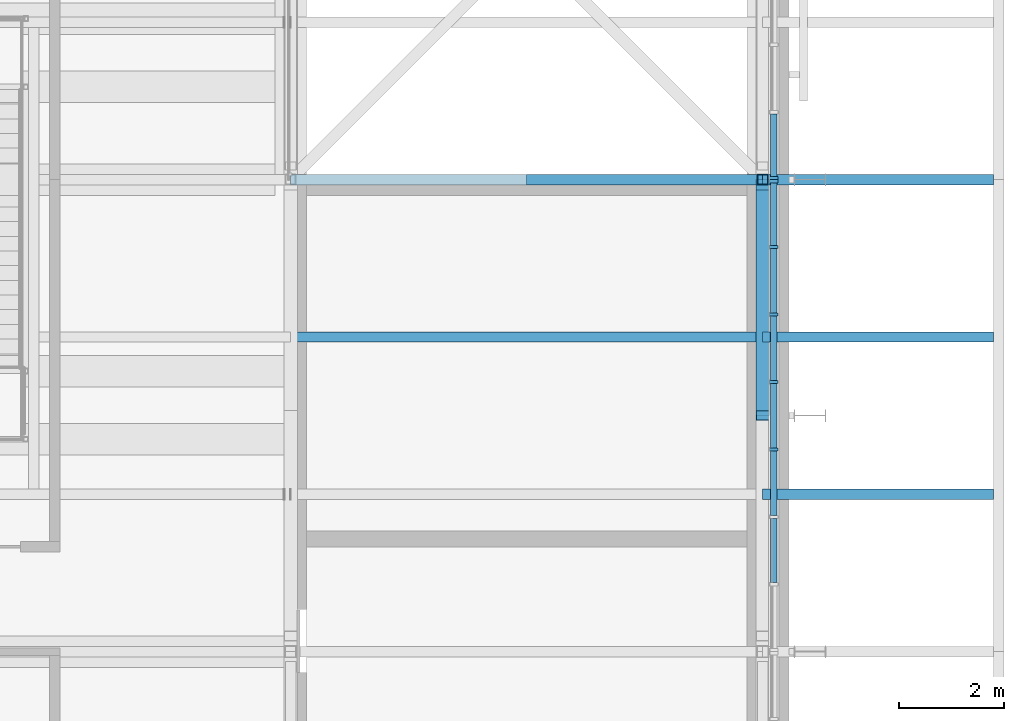
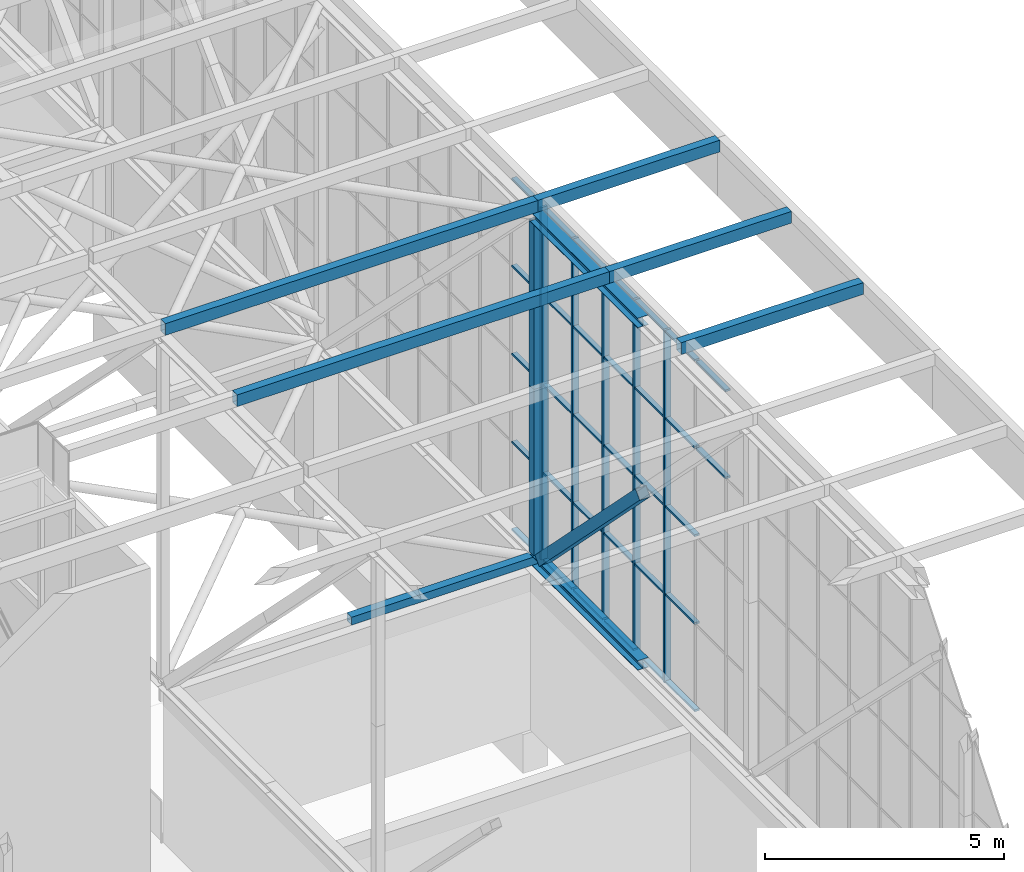
# One storey, part 96 of 646: 49 members, 2 elements without a shape of their own.
"""IFC4 building model written with IfcOpenShell, lengths in metres."""

from ifc_helpers import new_model, si_unit, direction, frame, origin, origin_2d, place, context, subcontext, project, spatial, rectangle, hollow_rectangle, i_section, extrude, material, material_profile, profile_set, type_object, element, aggregate, save


model = new_model("IFC4")

# Units and contexts
model_context = context("Model", 3, precision=1e-05, world=origin(), true_north=direction((0.0, 1.0)))
body_context = subcontext(model_context, "Body", "Model", "MODEL_VIEW")
ifc_project = project(units=[si_unit("LENGTHUNIT", "METRE"), si_unit("AREAUNIT", "SQUARE_METRE"), si_unit("VOLUMEUNIT", "CUBIC_METRE"), si_unit("PLANEANGLEUNIT", "RADIAN"), si_unit("MASSUNIT", "GRAM", prefix="KILO")], contexts=[model_context])

# Site, building, storey
site_placement = place(None, origin())
site = spatial("IfcSite", under=ifc_project, at=site_placement, CompositionType="ELEMENT")
building_placement = place(site_placement, origin())
building = spatial("IfcBuilding", under=site, at=building_placement, Name="Silverbay Arena", CompositionType="ELEMENT")
storey_placement = place(building_placement, frame((0.0, 0.0, 33.5)))
storey = spatial("IfcBuildingStorey", under=building, at=storey_placement, Name="L05", CompositionType="ELEMENT", Elevation=33.5)

# Member
ifc_material_1 = material(Name="Steel S355", Category="steel")
ifc_material_profile_1 = material_profile(ifc_material_1, hollow_rectangle(XDim=0.199951171875, YDim=0.199951171875, WallThickness=0.008056640625, at=origin_2d()), Name="SHS 200x200x8")
ifc_profile_set_1 = profile_set([ifc_material_profile_1], Name="Steel S355")
member_type_1 = type_object("IfcMemberType", Name="Bracing strut SHS 200x200x8", PredefinedType="STRUT", material=ifc_profile_set_1)
member_1_placement = place(storey_placement, frame((202.5, 72.0, 4.126953125), z_axis=(1.0, 0.0, 0.0), x_axis=(0.0, 1.0, 0.0)))
element("IfcMember", 1, at=member_1_placement, inside=storey, type_object=member_type_1, Name="ROOF BRACING strut 23-24 line 08b", PredefinedType="STRUT", context=body_context, shape_type="SweptSolid", body=[
    extrude(hollow_rectangle(XDim=0.199951171875, YDim=0.199951171875, WallThickness=0.008056640625, at=origin_2d()), origin(), (0.0, 0.0, 1.0), 4.5),
])

# Curtain wall, members
ifc_material_2 = material(Name="Aluminium framed glazing", Category="aluminium")
curtain_wall_type = type_object("IfcCurtainWallType", Name="Curtain wall clerestory 9000 x 9000", PredefinedType="NOTDEFINED", material=ifc_material_2)
curtain_wall_1_placement = place(storey_placement, origin())
curtain_wall_1 = element("IfcCurtainWall", 2, at=curtain_wall_1_placement, inside=storey, type_object=curtain_wall_type, Name="ROOF GABLE CLERESTORY CURTAIN WALL east bay 07", PredefinedType="NOTDEFINED")
ifc_material_3 = material(Name="Aluminium", Category="aluminium")
ifc_material_profile_2 = material_profile(ifc_material_3, rectangle(XDim=0.159912109375, YDim=0.06005859375, at=origin_2d()), Name="Mullion 60 x 160")
ifc_profile_set_2 = profile_set([ifc_material_profile_2], Name="Aluminium")
member_type_2 = type_object("IfcMemberType", Name="Mullion 60 x 160", PredefinedType="MULLION", material=ifc_profile_set_2)
member_2_placement = place(storey_placement, frame((207.2099609375, 66.857177734375, 4.0), z_axis=(0.0, 0.0, 1.0), x_axis=(-1.0, 0.0, 0.0)))
member_2 = element("IfcMember", 3, at=member_2_placement, type_object=member_type_2, Name="CW60 mullion 4", PredefinedType="MULLION", context=body_context, shape_type="SweptSolid", body=[
    extrude(rectangle(XDim=0.159912109375, YDim=0.06005859375, at=origin_2d()), origin(), (0.0, 0.0, 1.0), 9.0),
])
member_3_placement = place(storey_placement, frame((207.2099609375, 68.142822265625, 4.0), z_axis=(0.0, 0.0, 1.0), x_axis=(-1.0, 0.0, 0.0)))
member_3 = element("IfcMember", 4, at=member_3_placement, type_object=member_type_2, Name="CW60 mullion 5", PredefinedType="MULLION", context=body_context, shape_type="SweptSolid", body=[
    extrude(rectangle(XDim=0.159912109375, YDim=0.06005859375, at=origin_2d()), origin(), (0.0, 0.0, 1.0), 9.0),
])
member_4_placement = place(storey_placement, frame((207.2099609375, 69.428466796875, 4.0), z_axis=(0.0, 0.0, 1.0), x_axis=(-1.0, 0.0, 0.0)))
member_4 = element("IfcMember", 5, at=member_4_placement, type_object=member_type_2, Name="CW60 mullion 6", PredefinedType="MULLION", context=body_context, shape_type="SweptSolid", body=[
    extrude(rectangle(XDim=0.159912109375, YDim=0.06005859375, at=origin_2d()), origin(), (0.0, 0.0, 1.0), 9.0),
])
member_5_placement = place(storey_placement, frame((207.2099609375, 70.71435546875, 4.0), z_axis=(0.0, 0.0, 1.0), x_axis=(-1.0, 0.0, 0.0)))
member_5 = element("IfcMember", 6, at=member_5_placement, type_object=member_type_2, Name="CW60 mullion 7", PredefinedType="MULLION", context=body_context, shape_type="SweptSolid", body=[
    extrude(rectangle(XDim=0.159912109375, YDim=0.06005859375, at=origin_2d()), origin(), (0.0, 0.0, 1.0), 9.0),
])
member_6_placement = place(storey_placement, frame((207.2099609375, 71.969970703125, 4.0), z_axis=(0.0, 0.0, 1.0), x_axis=(-1.0, 0.0, 0.0)))
member_6 = element("IfcMember", 7, at=member_6_placement, type_object=member_type_2, Name="CW60 mullion 8", PredefinedType="MULLION", context=body_context, shape_type="SweptSolid", body=[
    extrude(rectangle(XDim=0.159912109375, YDim=0.06005859375, at=origin_2d()), origin(), (0.0, 0.0, 1.0), 9.0),
])

# Curtain wall, member
curtain_wall_2_placement = place(storey_placement, origin())
curtain_wall_2 = element("IfcCurtainWall", 8, at=curtain_wall_2_placement, inside=storey, type_object=curtain_wall_type, Name="ROOF GABLE CLERESTORY CURTAIN WALL east bay 08", PredefinedType="NOTDEFINED")
member_7_placement = place(storey_placement, frame((207.2099609375, 72.030029296875, 4.0), z_axis=(0.0, 0.0, 1.0), x_axis=(-1.0, 0.0, 0.0)))
member_7 = element("IfcMember", 9, at=member_7_placement, type_object=member_type_2, Name="CW60 mullion 1", PredefinedType="MULLION", context=body_context, shape_type="SweptSolid", body=[
    extrude(rectangle(XDim=0.159912109375, YDim=0.06005859375, at=origin_2d()), origin(), (0.0, 0.0, 1.0), 9.0),
])

# Members
ifc_material_4 = material(Name="Steel S355", Category="steel")
ifc_material_profile_3 = material_profile(ifc_material_4, hollow_rectangle(XDim=0.199951171875, YDim=0.300048828125, WallThickness=0.008056640625, at=origin_2d()), Name="RHS 300x200x8")
ifc_profile_set_3 = profile_set([ifc_material_profile_3], Name="Steel S355")
member_type_3 = type_object("IfcMemberType", Name="Purlin RHS 300x200x8", PredefinedType="PURLIN", material=ifc_profile_set_3)
for number, where, z_axis, x_axis, name in (
    (10, (198.0, 69.0, 13.14990234375), (1.0, 0.0, 0.0), (0.0, 1.0, 0.0), "ROOF PURLIN 23-24 line 21"),
    (11, (198.0, 72.0, 13.14990234375), (1.0, 0.0, 0.0), (0.0, 1.0, 0.0), "ROOF PURLIN 23-24 line 22"),
):
    element("IfcMember", number, at=place(storey_placement, frame(where, z_axis=z_axis, x_axis=x_axis)), inside=storey, type_object=member_type_3, Name=name, PredefinedType="PURLIN", context=body_context, shape_type="SweptSolid", body=[
        extrude(hollow_rectangle(XDim=0.199951171875, YDim=0.300048828125, WallThickness=0.008056640625, at=origin_2d()), origin(), (0.0, 0.0, 1.0), 9.0),
    ])
for number, where, z_axis, x_axis, name in (
    (12, (211.39990234375, 66.0, 13.14990234375), (-1.0, 0.0, 0.0), (0.0, -1.0, 0.0), "ROOF PURLIN east eave line 20"),
    (13, (211.39990234375, 69.0, 13.14990234375), (-1.0, 0.0, 0.0), (0.0, -1.0, 0.0), "ROOF PURLIN east eave line 21"),
    (14, (211.39990234375, 72.0, 13.14990234375), (-1.0, 0.0, 0.0), (0.0, -1.0, 0.0), "ROOF PURLIN east eave line 22"),
):
    element("IfcMember", number, at=place(storey_placement, frame(where, z_axis=z_axis, x_axis=x_axis)), inside=storey, type_object=member_type_3, Name=name, PredefinedType="PURLIN", context=body_context, shape_type="SweptSolid", body=[
        extrude(hollow_rectangle(XDim=0.199951171875, YDim=0.300048828125, WallThickness=0.008056640625, at=origin_2d()), origin(), (0.0, 0.0, 1.0), 4.39990234375),
    ])
ifc_material_5 = material(Name="Steel S355", Category="steel")
ifc_material_profile_4 = material_profile(ifc_material_5, i_section(OverallWidth=0.254638671875, OverallDepth=0.254150390625, WebThickness=0.008544921875, FlangeThickness=0.01416015625, at=origin_2d()), Name="UC 254x254x73")
ifc_profile_set_4 = profile_set([ifc_material_profile_4], Name="Steel S355")
member_type_4 = type_object("IfcMemberType", Name="Short-span bottom chord UC 254x254x73", PredefinedType="CHORD", material=ifc_profile_set_4)
member_8_placement = place(storey_placement, frame((207.0, 67.5, 4.126953125), z_axis=(0.0, 1.0, 0.0), x_axis=(-1.0, 0.0, 0.0)))
element("IfcMember", 15, at=member_8_placement, inside=storey, type_object=member_type_4, Name="ROOF TRUSS 24 bottom chord 07b", PredefinedType="CHORD", context=body_context, shape_type="SweptSolid", body=[
    extrude(i_section(OverallWidth=0.254638671875, OverallDepth=0.254150390625, WebThickness=0.008544921875, FlangeThickness=0.01416015625, at=origin_2d()), origin(), (0.0, 0.0, 1.0), 4.5),
])
ifc_material_6 = material(Name="Steel S355", Category="steel")
ifc_material_profile_5 = material_profile(ifc_material_6, i_section(OverallWidth=0.254638671875, OverallDepth=0.254150390625, WebThickness=0.008544921875, FlangeThickness=0.01416015625, at=origin_2d()), Name="UC 254x254x73")
ifc_profile_set_5 = profile_set([ifc_material_profile_5], Name="Steel S355")
member_type_5 = type_object("IfcMemberType", Name="Short-span top chord UC 254x254x73", PredefinedType="CHORD", material=ifc_profile_set_5)
member_9_placement = place(storey_placement, frame((207.0, 67.5, 12.873046875), z_axis=(0.0, 1.0, 0.0), x_axis=(-1.0, 0.0, 0.0)))
element("IfcMember", 16, at=member_9_placement, inside=storey, type_object=member_type_5, Name="ROOF TRUSS 24 top chord 07b", PredefinedType="CHORD", context=body_context, shape_type="SweptSolid", body=[
    extrude(i_section(OverallWidth=0.254638671875, OverallDepth=0.254150390625, WebThickness=0.008544921875, FlangeThickness=0.01416015625, at=origin_2d()), origin(), (0.0, 0.0, 1.0), 4.5),
])
ifc_material_7 = material(Name="Steel S355", Category="steel")
ifc_material_profile_6 = material_profile(ifc_material_7, hollow_rectangle(XDim=0.260009765625, YDim=0.260009765625, WallThickness=0.010009765625, at=origin_2d()), Name="SHS 260x260x10")
ifc_profile_set_6 = profile_set([ifc_material_profile_6], Name="Steel S355")
member_type_6 = type_object("IfcMemberType", Name="Short-span truss diagonal SHS 260x260x10", PredefinedType="BRACE", material=ifc_profile_set_6)
member_10_placement = place(storey_placement, frame((207.0, 67.5048828125, 8.5), z_axis=(0.0, 0.703728402193, -0.710469095701), x_axis=(-1.0, 0.0, 0.0)))
element("IfcMember", 17, at=member_10_placement, inside=storey, type_object=member_type_6, Name="ROOF TRUSS 24 diagonal 07b", PredefinedType="BRACE", context=body_context, shape_type="SweptSolid", body=[
    extrude(hollow_rectangle(XDim=0.260009765625, YDim=0.260009765625, WallThickness=0.010009765625, at=origin_2d()), origin(), (0.0, 0.0, 1.0), 5.97607421875),
])
ifc_material_8 = material(Name="Steel S355", Category="steel")
ifc_material_profile_7 = material_profile(ifc_material_8, hollow_rectangle(XDim=0.199951171875, YDim=0.199951171875, WallThickness=0.008056640625, at=origin_2d()), Name="SHS 200x200x8")
ifc_profile_set_7 = profile_set([ifc_material_profile_7], Name="Steel S355")
member_type_7 = type_object("IfcMemberType", Name="Short-span truss vertical SHS 200x200x8", PredefinedType="STRUT", material=ifc_profile_set_7)
for number, where, z_axis, x_axis, name in (
    (18, (207.0, 72.0, 4.254150390625), (0.0, 0.0, 1.0), (1.0, 0.0, 0.0), "ROOF TRUSS 24 vertical 08a"),
    (19, (207.0, 72.0, 8.5), (0.0, 0.0, 1.0), (1.0, 0.0, 0.0), "ROOF TRUSS 24 vertical 08b"),
):
    element("IfcMember", number, at=place(storey_placement, frame(where, z_axis=z_axis, x_axis=x_axis)), inside=storey, type_object=member_type_7, Name=name, PredefinedType="STRUT", context=body_context, shape_type="SweptSolid", body=[
        extrude(hollow_rectangle(XDim=0.199951171875, YDim=0.199951171875, WallThickness=0.008056640625, at=origin_2d()), origin(), (0.0, 0.0, 1.0), 4.245849609375),
    ])

# Member
ifc_material_9 = material(Name="Aluminium", Category="aluminium")
ifc_material_profile_8 = material_profile(ifc_material_9, rectangle(XDim=0.1201171875, YDim=0.050048828125, at=origin_2d()), Name="Transom 50 x 120")
ifc_profile_set_8 = profile_set([ifc_material_profile_8], Name="Aluminium")
member_type_8 = type_object("IfcMemberType", Name="Transom 50 x 120", PredefinedType="USERDEFINED", material=ifc_profile_set_8)
member_11_placement = place(storey_placement, frame((207.2099609375, 64.315673828125, 10.75), z_axis=(0.0, 1.0, 0.0), x_axis=(-1.0, 0.0, 0.0)))
member_11 = element("IfcMember", 20, at=member_11_placement, type_object=member_type_8, Name="CW60 transom 2.4", ObjectType="TRANSOM", PredefinedType="USERDEFINED", context=body_context, shape_type="SweptSolid", body=[
    extrude(rectangle(XDim=0.1201171875, YDim=0.050048828125, at=origin_2d()), origin(), (0.0, 0.0, 1.0), 1.225830078125),
])

member_12_placement = place(storey_placement, frame((207.2099609375, 64.315673828125, 12.97509765625), z_axis=(0.0, 1.0, 0.0), x_axis=(-1.0, 0.0, 0.0)))
member_12 = element("IfcMember", 21, at=member_12_placement, type_object=member_type_8, Name="CW60 transom 2.5", ObjectType="TRANSOM", PredefinedType="USERDEFINED", context=body_context, shape_type="SweptSolid", body=[
    extrude(rectangle(XDim=0.1201171875, YDim=0.050048828125, at=origin_2d()), origin(), (0.0, 0.0, 1.0), 1.225830078125),
])

member_13_placement = place(storey_placement, frame((207.2099609375, 65.601318359375, 4.02490234375), z_axis=(0.0, 1.0, 0.0), x_axis=(-1.0, 0.0, 0.0)))
member_13 = element("IfcMember", 22, at=member_13_placement, type_object=member_type_8, Name="CW60 transom 3.1", ObjectType="TRANSOM", PredefinedType="USERDEFINED", context=body_context, shape_type="SweptSolid", body=[
    extrude(rectangle(XDim=0.1201171875, YDim=0.050048828125, at=origin_2d()), origin(), (0.0, 0.0, 1.0), 1.225830078125),
])

member_14_placement = place(storey_placement, frame((207.2099609375, 65.601318359375, 6.25), z_axis=(0.0, 1.0, 0.0), x_axis=(-1.0, 0.0, 0.0)))
member_14 = element("IfcMember", 23, at=member_14_placement, type_object=member_type_8, Name="CW60 transom 3.2", ObjectType="TRANSOM", PredefinedType="USERDEFINED", context=body_context, shape_type="SweptSolid", body=[
    extrude(rectangle(XDim=0.1201171875, YDim=0.050048828125, at=origin_2d()), origin(), (0.0, 0.0, 1.0), 1.225830078125),
])

member_15_placement = place(storey_placement, frame((207.2099609375, 65.601318359375, 8.5), z_axis=(0.0, 1.0, 0.0), x_axis=(-1.0, 0.0, 0.0)))
member_15 = element("IfcMember", 24, at=member_15_placement, type_object=member_type_8, Name="CW60 transom 3.3", ObjectType="TRANSOM", PredefinedType="USERDEFINED", context=body_context, shape_type="SweptSolid", body=[
    extrude(rectangle(XDim=0.1201171875, YDim=0.050048828125, at=origin_2d()), origin(), (0.0, 0.0, 1.0), 1.225830078125),
])

member_16_placement = place(storey_placement, frame((207.2099609375, 65.601318359375, 10.75), z_axis=(0.0, 1.0, 0.0), x_axis=(-1.0, 0.0, 0.0)))
member_16 = element("IfcMember", 25, at=member_16_placement, type_object=member_type_8, Name="CW60 transom 3.4", ObjectType="TRANSOM", PredefinedType="USERDEFINED", context=body_context, shape_type="SweptSolid", body=[
    extrude(rectangle(XDim=0.1201171875, YDim=0.050048828125, at=origin_2d()), origin(), (0.0, 0.0, 1.0), 1.225830078125),
])

member_17_placement = place(storey_placement, frame((207.2099609375, 65.601318359375, 12.97509765625), z_axis=(0.0, 1.0, 0.0), x_axis=(-1.0, 0.0, 0.0)))
member_17 = element("IfcMember", 26, at=member_17_placement, type_object=member_type_8, Name="CW60 transom 3.5", ObjectType="TRANSOM", PredefinedType="USERDEFINED", context=body_context, shape_type="SweptSolid", body=[
    extrude(rectangle(XDim=0.1201171875, YDim=0.050048828125, at=origin_2d()), origin(), (0.0, 0.0, 1.0), 1.225830078125),
])

member_18_placement = place(storey_placement, frame((207.2099609375, 66.88720703125, 4.02490234375), z_axis=(0.0, 1.0, 0.0), x_axis=(-1.0, 0.0, 0.0)))
member_18 = element("IfcMember", 27, at=member_18_placement, type_object=member_type_8, Name="CW60 transom 4.1", ObjectType="TRANSOM", PredefinedType="USERDEFINED", context=body_context, shape_type="SweptSolid", body=[
    extrude(rectangle(XDim=0.1201171875, YDim=0.050048828125, at=origin_2d()), origin(), (0.0, 0.0, 1.0), 1.2255859375),
])

member_19_placement = place(storey_placement, frame((207.2099609375, 66.88720703125, 6.25), z_axis=(0.0, 1.0, 0.0), x_axis=(-1.0, 0.0, 0.0)))
member_19 = element("IfcMember", 28, at=member_19_placement, type_object=member_type_8, Name="CW60 transom 4.2", ObjectType="TRANSOM", PredefinedType="USERDEFINED", context=body_context, shape_type="SweptSolid", body=[
    extrude(rectangle(XDim=0.1201171875, YDim=0.050048828125, at=origin_2d()), origin(), (0.0, 0.0, 1.0), 1.2255859375),
])

member_20_placement = place(storey_placement, frame((207.2099609375, 66.88720703125, 8.5), z_axis=(0.0, 1.0, 0.0), x_axis=(-1.0, 0.0, 0.0)))
member_20 = element("IfcMember", 29, at=member_20_placement, type_object=member_type_8, Name="CW60 transom 4.3", ObjectType="TRANSOM", PredefinedType="USERDEFINED", context=body_context, shape_type="SweptSolid", body=[
    extrude(rectangle(XDim=0.1201171875, YDim=0.050048828125, at=origin_2d()), origin(), (0.0, 0.0, 1.0), 1.2255859375),
])

member_21_placement = place(storey_placement, frame((207.2099609375, 66.88720703125, 10.75), z_axis=(0.0, 1.0, 0.0), x_axis=(-1.0, 0.0, 0.0)))
member_21 = element("IfcMember", 30, at=member_21_placement, type_object=member_type_8, Name="CW60 transom 4.4", ObjectType="TRANSOM", PredefinedType="USERDEFINED", context=body_context, shape_type="SweptSolid", body=[
    extrude(rectangle(XDim=0.1201171875, YDim=0.050048828125, at=origin_2d()), origin(), (0.0, 0.0, 1.0), 1.2255859375),
])

member_22_placement = place(storey_placement, frame((207.2099609375, 66.88720703125, 12.97509765625), z_axis=(0.0, 1.0, 0.0), x_axis=(-1.0, 0.0, 0.0)))
member_22 = element("IfcMember", 31, at=member_22_placement, type_object=member_type_8, Name="CW60 transom 4.5", ObjectType="TRANSOM", PredefinedType="USERDEFINED", context=body_context, shape_type="SweptSolid", body=[
    extrude(rectangle(XDim=0.1201171875, YDim=0.050048828125, at=origin_2d()), origin(), (0.0, 0.0, 1.0), 1.2255859375),
])

member_23_placement = place(storey_placement, frame((207.2099609375, 68.1728515625, 4.02490234375), z_axis=(0.0, 1.0, 0.0), x_axis=(-1.0, 0.0, 0.0)))
member_23 = element("IfcMember", 32, at=member_23_placement, type_object=member_type_8, Name="CW60 transom 5.1", ObjectType="TRANSOM", PredefinedType="USERDEFINED", context=body_context, shape_type="SweptSolid", body=[
    extrude(rectangle(XDim=0.1201171875, YDim=0.050048828125, at=origin_2d()), origin(), (0.0, 0.0, 1.0), 1.225830078125),
])

member_24_placement = place(storey_placement, frame((207.2099609375, 68.1728515625, 6.25), z_axis=(0.0, 1.0, 0.0), x_axis=(-1.0, 0.0, 0.0)))
member_24 = element("IfcMember", 33, at=member_24_placement, type_object=member_type_8, Name="CW60 transom 5.2", ObjectType="TRANSOM", PredefinedType="USERDEFINED", context=body_context, shape_type="SweptSolid", body=[
    extrude(rectangle(XDim=0.1201171875, YDim=0.050048828125, at=origin_2d()), origin(), (0.0, 0.0, 1.0), 1.225830078125),
])

member_25_placement = place(storey_placement, frame((207.2099609375, 68.1728515625, 8.5), z_axis=(0.0, 1.0, 0.0), x_axis=(-1.0, 0.0, 0.0)))
member_25 = element("IfcMember", 34, at=member_25_placement, type_object=member_type_8, Name="CW60 transom 5.3", ObjectType="TRANSOM", PredefinedType="USERDEFINED", context=body_context, shape_type="SweptSolid", body=[
    extrude(rectangle(XDim=0.1201171875, YDim=0.050048828125, at=origin_2d()), origin(), (0.0, 0.0, 1.0), 1.225830078125),
])

member_26_placement = place(storey_placement, frame((207.2099609375, 68.1728515625, 10.75), z_axis=(0.0, 1.0, 0.0), x_axis=(-1.0, 0.0, 0.0)))
member_26 = element("IfcMember", 35, at=member_26_placement, type_object=member_type_8, Name="CW60 transom 5.4", ObjectType="TRANSOM", PredefinedType="USERDEFINED", context=body_context, shape_type="SweptSolid", body=[
    extrude(rectangle(XDim=0.1201171875, YDim=0.050048828125, at=origin_2d()), origin(), (0.0, 0.0, 1.0), 1.225830078125),
])

member_27_placement = place(storey_placement, frame((207.2099609375, 68.1728515625, 12.97509765625), z_axis=(0.0, 1.0, 0.0), x_axis=(-1.0, 0.0, 0.0)))
member_27 = element("IfcMember", 36, at=member_27_placement, type_object=member_type_8, Name="CW60 transom 5.5", ObjectType="TRANSOM", PredefinedType="USERDEFINED", context=body_context, shape_type="SweptSolid", body=[
    extrude(rectangle(XDim=0.1201171875, YDim=0.050048828125, at=origin_2d()), origin(), (0.0, 0.0, 1.0), 1.225830078125),
])

member_28_placement = place(storey_placement, frame((207.2099609375, 69.45849609375, 4.02490234375), z_axis=(0.0, 1.0, 0.0), x_axis=(-1.0, 0.0, 0.0)))
member_28 = element("IfcMember", 37, at=member_28_placement, type_object=member_type_8, Name="CW60 transom 6.1", ObjectType="TRANSOM", PredefinedType="USERDEFINED", context=body_context, shape_type="SweptSolid", body=[
    extrude(rectangle(XDim=0.1201171875, YDim=0.050048828125, at=origin_2d()), origin(), (0.0, 0.0, 1.0), 1.225830078125),
])

member_29_placement = place(storey_placement, frame((207.2099609375, 69.45849609375, 6.25), z_axis=(0.0, 1.0, 0.0), x_axis=(-1.0, 0.0, 0.0)))
member_29 = element("IfcMember", 38, at=member_29_placement, type_object=member_type_8, Name="CW60 transom 6.2", ObjectType="TRANSOM", PredefinedType="USERDEFINED", context=body_context, shape_type="SweptSolid", body=[
    extrude(rectangle(XDim=0.1201171875, YDim=0.050048828125, at=origin_2d()), origin(), (0.0, 0.0, 1.0), 1.225830078125),
])

member_30_placement = place(storey_placement, frame((207.2099609375, 69.45849609375, 8.5), z_axis=(0.0, 1.0, 0.0), x_axis=(-1.0, 0.0, 0.0)))
member_30 = element("IfcMember", 39, at=member_30_placement, type_object=member_type_8, Name="CW60 transom 6.3", ObjectType="TRANSOM", PredefinedType="USERDEFINED", context=body_context, shape_type="SweptSolid", body=[
    extrude(rectangle(XDim=0.1201171875, YDim=0.050048828125, at=origin_2d()), origin(), (0.0, 0.0, 1.0), 1.225830078125),
])

member_31_placement = place(storey_placement, frame((207.2099609375, 69.45849609375, 10.75), z_axis=(0.0, 1.0, 0.0), x_axis=(-1.0, 0.0, 0.0)))
member_31 = element("IfcMember", 40, at=member_31_placement, type_object=member_type_8, Name="CW60 transom 6.4", ObjectType="TRANSOM", PredefinedType="USERDEFINED", context=body_context, shape_type="SweptSolid", body=[
    extrude(rectangle(XDim=0.1201171875, YDim=0.050048828125, at=origin_2d()), origin(), (0.0, 0.0, 1.0), 1.225830078125),
])

member_32_placement = place(storey_placement, frame((207.2099609375, 69.45849609375, 12.97509765625), z_axis=(0.0, 1.0, 0.0), x_axis=(-1.0, 0.0, 0.0)))
member_32 = element("IfcMember", 41, at=member_32_placement, type_object=member_type_8, Name="CW60 transom 6.5", ObjectType="TRANSOM", PredefinedType="USERDEFINED", context=body_context, shape_type="SweptSolid", body=[
    extrude(rectangle(XDim=0.1201171875, YDim=0.050048828125, at=origin_2d()), origin(), (0.0, 0.0, 1.0), 1.225830078125),
])

member_33_placement = place(storey_placement, frame((207.2099609375, 70.744384765625, 4.02490234375), z_axis=(0.0, 1.0, 0.0), x_axis=(-1.0, 0.0, 0.0)))
member_33 = element("IfcMember", 42, at=member_33_placement, type_object=member_type_8, Name="CW60 transom 7.1", ObjectType="TRANSOM", PredefinedType="USERDEFINED", context=body_context, shape_type="SweptSolid", body=[
    extrude(rectangle(XDim=0.1201171875, YDim=0.050048828125, at=origin_2d()), origin(), (0.0, 0.0, 1.0), 1.195556640625),
])

member_34_placement = place(storey_placement, frame((207.2099609375, 70.744384765625, 6.25), z_axis=(0.0, 1.0, 0.0), x_axis=(-1.0, 0.0, 0.0)))
member_34 = element("IfcMember", 43, at=member_34_placement, type_object=member_type_8, Name="CW60 transom 7.2", ObjectType="TRANSOM", PredefinedType="USERDEFINED", context=body_context, shape_type="SweptSolid", body=[
    extrude(rectangle(XDim=0.1201171875, YDim=0.050048828125, at=origin_2d()), origin(), (0.0, 0.0, 1.0), 1.195556640625),
])

member_35_placement = place(storey_placement, frame((207.2099609375, 70.744384765625, 8.5), z_axis=(0.0, 1.0, 0.0), x_axis=(-1.0, 0.0, 0.0)))
member_35 = element("IfcMember", 44, at=member_35_placement, type_object=member_type_8, Name="CW60 transom 7.3", ObjectType="TRANSOM", PredefinedType="USERDEFINED", context=body_context, shape_type="SweptSolid", body=[
    extrude(rectangle(XDim=0.1201171875, YDim=0.050048828125, at=origin_2d()), origin(), (0.0, 0.0, 1.0), 1.195556640625),
])

member_36_placement = place(storey_placement, frame((207.2099609375, 70.744384765625, 10.75), z_axis=(0.0, 1.0, 0.0), x_axis=(-1.0, 0.0, 0.0)))
member_36 = element("IfcMember", 45, at=member_36_placement, type_object=member_type_8, Name="CW60 transom 7.4", ObjectType="TRANSOM", PredefinedType="USERDEFINED", context=body_context, shape_type="SweptSolid", body=[
    extrude(rectangle(XDim=0.1201171875, YDim=0.050048828125, at=origin_2d()), origin(), (0.0, 0.0, 1.0), 1.195556640625),
])

member_37_placement = place(storey_placement, frame((207.2099609375, 70.744384765625, 12.97509765625), z_axis=(0.0, 1.0, 0.0), x_axis=(-1.0, 0.0, 0.0)))
member_37 = element("IfcMember", 46, at=member_37_placement, type_object=member_type_8, Name="CW60 transom 7.5", ObjectType="TRANSOM", PredefinedType="USERDEFINED", context=body_context, shape_type="SweptSolid", body=[
    extrude(rectangle(XDim=0.1201171875, YDim=0.050048828125, at=origin_2d()), origin(), (0.0, 0.0, 1.0), 1.195556640625),
])

aggregate(curtain_wall_1, [member_2, member_3, member_4, member_5, member_6, member_11, member_12, member_13, member_14, member_15, member_16, member_17, member_18, member_19, member_20, member_21, member_22, member_23, member_24, member_25, member_26, member_27, member_28, member_29, member_30, member_31, member_32, member_33, member_34, member_35, member_36, member_37])

member_38_placement = place(storey_placement, frame((207.2099609375, 72.06005859375, 4.02490234375), z_axis=(0.0, 1.0, 0.0), x_axis=(-1.0, 0.0, 0.0)))
member_38 = element("IfcMember", 47, at=member_38_placement, type_object=member_type_8, Name="CW60 transom 1.1", ObjectType="TRANSOM", PredefinedType="USERDEFINED", context=body_context, shape_type="SweptSolid", body=[
    extrude(rectangle(XDim=0.1201171875, YDim=0.050048828125, at=origin_2d()), origin(), (0.0, 0.0, 1.0), 1.195556640625),
])

member_39_placement = place(storey_placement, frame((207.2099609375, 72.06005859375, 6.25), z_axis=(0.0, 1.0, 0.0), x_axis=(-1.0, 0.0, 0.0)))
member_39 = element("IfcMember", 48, at=member_39_placement, type_object=member_type_8, Name="CW60 transom 1.2", ObjectType="TRANSOM", PredefinedType="USERDEFINED", context=body_context, shape_type="SweptSolid", body=[
    extrude(rectangle(XDim=0.1201171875, YDim=0.050048828125, at=origin_2d()), origin(), (0.0, 0.0, 1.0), 1.195556640625),
])

member_40_placement = place(storey_placement, frame((207.2099609375, 72.06005859375, 8.5), z_axis=(0.0, 1.0, 0.0), x_axis=(-1.0, 0.0, 0.0)))
member_40 = element("IfcMember", 49, at=member_40_placement, type_object=member_type_8, Name="CW60 transom 1.3", ObjectType="TRANSOM", PredefinedType="USERDEFINED", context=body_context, shape_type="SweptSolid", body=[
    extrude(rectangle(XDim=0.1201171875, YDim=0.050048828125, at=origin_2d()), origin(), (0.0, 0.0, 1.0), 1.195556640625),
])

member_41_placement = place(storey_placement, frame((207.2099609375, 72.06005859375, 10.75), z_axis=(0.0, 1.0, 0.0), x_axis=(-1.0, 0.0, 0.0)))
member_41 = element("IfcMember", 50, at=member_41_placement, type_object=member_type_8, Name="CW60 transom 1.4", ObjectType="TRANSOM", PredefinedType="USERDEFINED", context=body_context, shape_type="SweptSolid", body=[
    extrude(rectangle(XDim=0.1201171875, YDim=0.050048828125, at=origin_2d()), origin(), (0.0, 0.0, 1.0), 1.195556640625),
])

member_42_placement = place(storey_placement, frame((207.2099609375, 72.06005859375, 12.97509765625), z_axis=(0.0, 1.0, 0.0), x_axis=(-1.0, 0.0, 0.0)))
member_42 = element("IfcMember", 51, at=member_42_placement, type_object=member_type_8, Name="CW60 transom 1.5", ObjectType="TRANSOM", PredefinedType="USERDEFINED", context=body_context, shape_type="SweptSolid", body=[
    extrude(rectangle(XDim=0.1201171875, YDim=0.050048828125, at=origin_2d()), origin(), (0.0, 0.0, 1.0), 1.195556640625),
])

aggregate(curtain_wall_2, [member_7, member_38, member_39, member_40, member_41, member_42])

save(model, "model.ifc")
